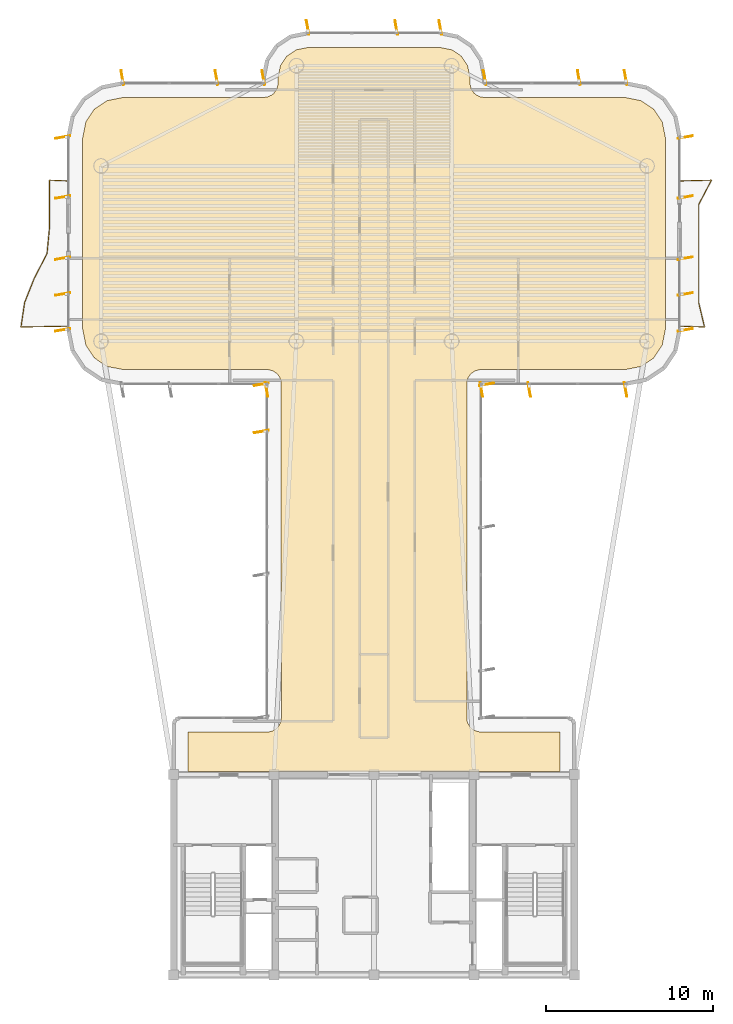
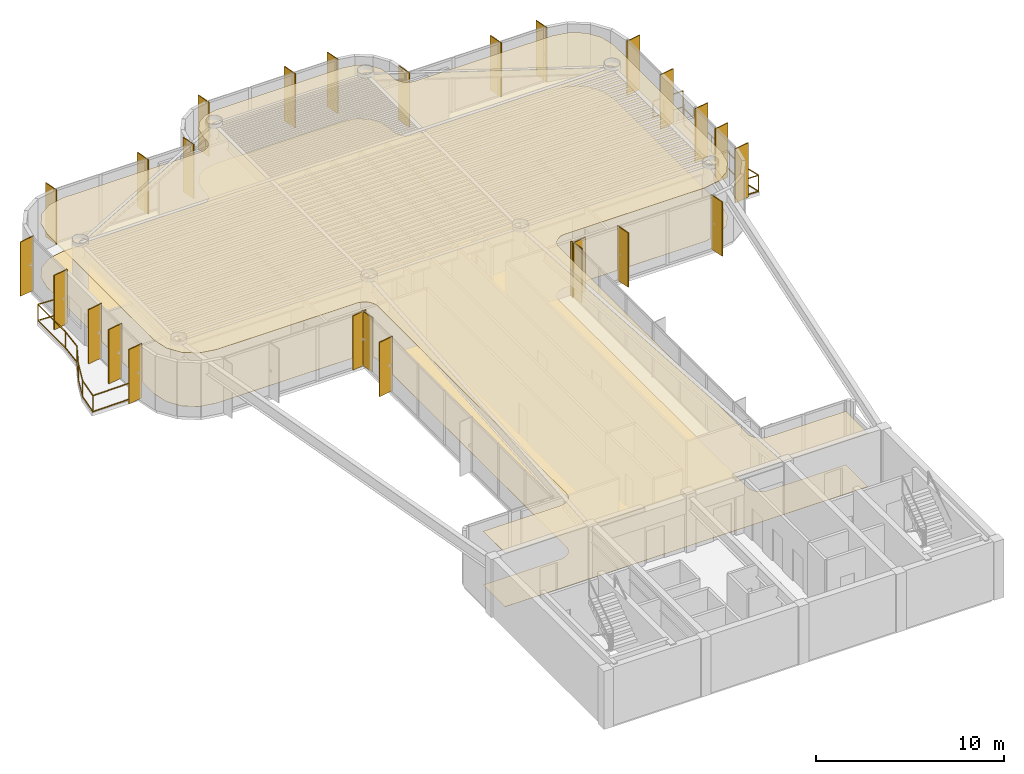
# One storey, part 15 of 15: 26 shading devices, 2 coverings, 2 railings.
"""IFC4 building model written with IfcOpenShell, lengths in metres."""

import ifcopenshell
import ifcopenshell.guid

model = None  # the IFC model being written
_history = None  # IfcOwnerHistory: only IFC2X3 demands one
_inside = {}  # id of a spatial element -> (the spatial element, [elements in it])
_under = {}  # id of a project, library or spatial element -> (it, [spatial elements below it])
_declared = {}  # id of a project -> (the project, [libraries it declares])
_typed = {}  # id of a type object -> (the type object, [elements of that type])
_made_of = {}  # id of a material, layer set ... -> (it, [elements and type objects made of it])


def new_model(schema):
    """Start an empty IFC model of exactly this schema.

    Asked for "IFC4X3", IfcOpenShell would pick the latest addendum, in which some entities
    have other attributes; the version numbers below select the first issue.
    IFC2X3 requires an IfcOwnerHistory on every rooted entity: one is made here for all.
    """
    global model, _history
    if schema == "IFC4X3":
        model = ifcopenshell.file(schema_version=(4, 3, 0, 0))
    else:
        model = ifcopenshell.file(schema=schema)
    _inside.clear()
    _under.clear()
    _declared.clear()
    _typed.clear()
    _made_of.clear()
    _history = None
    if model.schema == "IFC2X3":
        org = make("IfcOrganization", Name="unknown")
        user = make(
            "IfcPersonAndOrganization",
            ThePerson=make("IfcPerson", FamilyName="unknown"),
            TheOrganization=org,
        )
        app = make(
            "IfcApplication",
            ApplicationDeveloper=org,
            Version="unknown",
            ApplicationFullName="unknown",
            ApplicationIdentifier="unknown",
        )
        _history = make(
            "IfcOwnerHistory",
            OwningUser=user,
            OwningApplication=app,
            ChangeAction="ADDED",
            CreationDate=0,
        )
    return model


def make(cls, **values):
    """One entity of the class cls with the attributes given. An attribute that is None is left unset."""
    return model.create_entity(
        cls, **{name: value for name, value in values.items() if value is not None}
    )


def rooted(cls, **values):
    """An entity with a GlobalId (a new one), such as an element, a storey or a relation."""
    return make(cls, GlobalId=ifcopenshell.guid.new(), OwnerHistory=_history, **values)


def si_unit(unit_type, name, prefix=None):
    """IfcSIUnit, for example si_unit("LENGTHUNIT", "METRE", prefix="MILLI")."""
    return make("IfcSIUnit", UnitType=unit_type, Prefix=prefix, Name=name)


def assignment(units):
    """IfcUnitAssignment: the units of a project."""
    return None if units is None else make("IfcUnitAssignment", Units=units)


def point(xyz):
    """IfcCartesianPoint."""
    return None if xyz is None else make("IfcCartesianPoint", Coordinates=xyz)


def direction(xyz):
    """IfcDirection."""
    return None if xyz is None else make("IfcDirection", DirectionRatios=xyz)


def frame(location, z_axis=None, x_axis=None):
    """IfcAxis2Placement3D, a coordinate frame: its origin and axes. An axis left out is left unset."""
    return make(
        "IfcAxis2Placement3D",
        Location=point(location),
        Axis=direction(z_axis),
        RefDirection=direction(x_axis),
    )


def frame_2d(location, x_axis=None):
    """IfcAxis2Placement2D, a coordinate frame in the plane: its origin and x axis."""
    return make(
        "IfcAxis2Placement2D", Location=point(location), RefDirection=direction(x_axis)
    )


def origin():
    """The frame at (0, 0, 0) with its axes left unset."""
    return frame((0.0, 0.0, 0.0))


def origin_2d():
    """The frame at (0, 0) in the plane with its x axis left unset."""
    return frame_2d((0.0, 0.0))


def place(relative_to, where):
    """IfcLocalPlacement: puts the frame where relative to a parent placement (None: the world)."""
    return make(
        "IfcLocalPlacement", PlacementRelTo=relative_to, RelativePlacement=where
    )


def context(
    kind, dimensions, precision=None, world=None, true_north=None, identifier=None
):
    """IfcGeometricRepresentationContext, for example the 3D "Model" context."""
    return make(
        "IfcGeometricRepresentationContext",
        ContextIdentifier=identifier,
        ContextType=kind,
        CoordinateSpaceDimension=dimensions,
        Precision=precision,
        WorldCoordinateSystem=world,
        TrueNorth=true_north,
    )


def subcontext(parent, identifier, kind, view, scale=None):
    """IfcGeometricRepresentationSubContext, for example "Body" below "Model"."""
    return make(
        "IfcGeometricRepresentationSubContext",
        ContextIdentifier=identifier,
        ContextType=kind,
        ParentContext=parent,
        TargetScale=scale,
        TargetView=view,
    )


def project(units=None, contexts=None):
    """IfcProject with its units and contexts."""
    return rooted(
        "IfcProject",
        Name="project",
        RepresentationContexts=contexts,
        UnitsInContext=assignment(units),
    )


def spatial(cls, under=None, at=None, **own):
    """A site, building, storey or space (cls), placed at a placement, below another one or the project."""
    s = rooted(cls, ObjectPlacement=at, **own)
    if under is not None:
        _under.setdefault(under.id(), (under, []))[1].append(s)
    return s


def polyline(points):
    """IfcPolyline through the points."""
    return make("IfcPolyline", Points=[point(p) for p in points])


def profile(cls, at=None, kind="AREA", **sizes):
    """A parametric profile (cls). Its sizes go by their IFC names, for example OverallWidth=200.0."""
    return make(cls, ProfileType=kind, Position=at, **sizes)


def rectangle(**sizes):
    """IfcRectangleProfileDef."""
    return profile("IfcRectangleProfileDef", **sizes)


def outline(outer, holes=None, kind="AREA"):
    """IfcArbitraryClosedProfileDef: a profile drawn as a closed curve; with holes, ...WithVoids."""
    if holes is None:
        return make("IfcArbitraryClosedProfileDef", ProfileType=kind, OuterCurve=outer)
    return make(
        "IfcArbitraryProfileDefWithVoids",
        ProfileType=kind,
        OuterCurve=outer,
        InnerCurves=holes,
    )


def extrude(swept, where, along, depth):
    """IfcExtrudedAreaSolid: the profile swept, set in the frame where, extruded along a direction by depth."""
    return make(
        "IfcExtrudedAreaSolid",
        SweptArea=swept,
        Position=where,
        ExtrudedDirection=direction(along),
        Depth=depth,
    )


def shape(context_of_items, identifier, shape_type, items):
    """IfcShapeRepresentation: the items that make up one representation, for example the "Body"."""
    return make(
        "IfcShapeRepresentation",
        ContextOfItems=context_of_items,
        RepresentationIdentifier=identifier,
        RepresentationType=shape_type,
        Items=items,
    )


def source(mapping_origin, context_of_items, identifier, shape_type, items):
    """IfcRepresentationMap: a shape defined once, which mapped items show again and again."""
    return make(
        "IfcRepresentationMap",
        MappingOrigin=mapping_origin,
        MappedRepresentation=shape(context_of_items, identifier, shape_type, items),
    )


def transform(
    local_origin,
    x_axis=None,
    y_axis=None,
    z_axis=None,
    scale=None,
    scale2=None,
    scale3=None,
    uniform=True,
):
    """IfcCartesianTransformationOperator3D, or its non-uniform kind. x_axis, y_axis, z_axis: its Axis1, 2, 3."""
    if uniform:
        return make(
            "IfcCartesianTransformationOperator3D",
            Axis1=direction(x_axis),
            Axis2=direction(y_axis),
            LocalOrigin=point(local_origin),
            Scale=scale,
            Axis3=direction(z_axis),
        )
    return make(
        "IfcCartesianTransformationOperator3DnonUniform",
        Axis1=direction(x_axis),
        Axis2=direction(y_axis),
        LocalOrigin=point(local_origin),
        Scale=scale,
        Axis3=direction(z_axis),
        Scale2=scale2,
        Scale3=scale3,
    )


def mapped(mapping_source, mapping_target):
    """IfcMappedItem: shows the shape of a source again, moved by a transform."""
    return make(
        "IfcMappedItem", MappingSource=mapping_source, MappingTarget=mapping_target
    )


def material(Name=None, Category=None):
    """IfcMaterial."""
    return make("IfcMaterial", Name=Name, Category=Category)


def layer(
    of_material, thickness, ventilated=None, Name=None, Category=None, Priority=None
):
    """IfcMaterialLayer: one layer of a wall or slab, of a material (None: an air gap)."""
    return make(
        "IfcMaterialLayer",
        Material=of_material,
        LayerThickness=thickness,
        IsVentilated=ventilated,
        Name=Name,
        Category=Category,
        Priority=Priority,
    )


def layer_set(layers, Name=None):
    """IfcMaterialLayerSet."""
    return make("IfcMaterialLayerSet", MaterialLayers=layers, LayerSetName=Name)


def material_profile(
    of_material, cross_section, Name=None, Category=None, Priority=None
):
    """IfcMaterialProfile: a cross section and its material."""
    return make(
        "IfcMaterialProfile",
        Name=Name,
        Material=of_material,
        Profile=cross_section,
        Priority=Priority,
        Category=Category,
    )


def profile_set(profiles, Name=None, composite=None):
    """IfcMaterialProfileSet."""
    return make(
        "IfcMaterialProfileSet",
        Name=Name,
        MaterialProfiles=profiles,
        CompositeProfile=composite,
    )


def made_of(thing, what):
    """Note that an element or type object is made of a material, layer set ...; save() writes the relation."""
    if what is not None:
        _made_of.setdefault(what.id(), (what, []))[1].append(thing)
    return thing


def type_object(cls, material=None, **own):
    """A type object (cls), such as IfcWallType, which elements share."""
    return made_of(rooted(cls, **own), material)


def element(
    cls,
    number,
    at=None,
    inside=None,
    cuts=None,
    type_object=None,
    material=None,
    context=None,
    identifier="Body",
    shape_type=None,
    held_by="IfcProductDefinitionShape",
    body=None,
    shapes=None,
    **own,
):
    """One element of the class cls, such as IfcWall. Its Tag is "e" and its number.

    at: its placement. inside: the storey or other place that contains it. cuts: it is an
    opening in that element (IfcRelVoidsElement). A single representation is given by context,
    identifier, shape_type and body (its items); several are given by shapes. held_by: the class
    of the entity that holds the representations. save() writes the other relations.
    """
    e = rooted(cls, Tag="e%d" % number, ObjectPlacement=at, **own)
    if body is not None:
        shapes = [shape(context, identifier, shape_type, body)]
    if shapes is not None:
        e.Representation = make(held_by, Representations=shapes)
    if inside is not None:
        _inside.setdefault(inside.id(), (inside, []))[1].append(e)
    if cuts is not None:
        rooted(
            "IfcRelVoidsElement", RelatingBuildingElement=cuts, RelatedOpeningElement=e
        )
    if type_object is not None:
        _typed.setdefault(type_object.id(), (type_object, []))[1].append(e)
    return made_of(e, material)


def aggregate(whole, parts):
    """IfcRelAggregates: a whole, such as a stair, and the parts it consists of."""
    return rooted("IfcRelAggregates", RelatingObject=whole, RelatedObjects=parts)


def save(model, path):
    """Write the relations noted so far, then the file.

    IfcRelAggregates (storeys below a building ...), IfcRelContainedInSpatialStructure (elements
    in a storey), IfcRelDefinesByType, IfcRelAssociatesMaterial and IfcRelDeclares: one each for
    every whole, place, type object, material and project.
    """
    for whole, parts in _under.values():
        aggregate(whole, parts)
    for where, things in _inside.values():
        rooted(
            "IfcRelContainedInSpatialStructure",
            RelatedElements=things,
            RelatingStructure=where,
        )
    for kind, things in _typed.values():
        rooted("IfcRelDefinesByType", RelatedObjects=things, RelatingType=kind)
    for what, things in _made_of.values():
        rooted("IfcRelAssociatesMaterial", RelatedObjects=things, RelatingMaterial=what)
    for by, libraries in _declared.values():
        rooted("IfcRelDeclares", RelatingContext=by, RelatedDefinitions=libraries)
    model.write(path)


model = new_model("IFC4")

# Units and contexts
model_context = context("Model", 3, precision=1e-05, world=origin(), true_north=direction((0.0, 1.0)))
body_context = subcontext(model_context, "Body", "Model", "MODEL_VIEW")
ifc_project = project(units=[si_unit("LENGTHUNIT", "METRE"), si_unit("AREAUNIT", "SQUARE_METRE"), si_unit("VOLUMEUNIT", "CUBIC_METRE"), si_unit("PLANEANGLEUNIT", "RADIAN"), si_unit("MASSUNIT", "GRAM", prefix="KILO")], contexts=[model_context])

# Site, building, storey
site_placement = place(None, origin())
site = spatial("IfcSite", under=ifc_project, at=site_placement, CompositionType="ELEMENT")
building_placement = place(site_placement, origin())
building = spatial("IfcBuilding", under=site, at=building_placement, Name="Brelvock Crest Care Tower", CompositionType="ELEMENT")
storey_placement = place(building_placement, frame((0.0, 0.0, 245.699951171875)))
storey = spatial("IfcBuildingStorey", under=building, at=storey_placement, Name="L62", CompositionType="ELEMENT", Elevation=245.699951171875)

# Coverings
ifc_material_1 = material(Name="Mineral Fibre Acoustic Ceiling Tile", Category="gypsum")
ifc_layer_1 = layer(ifc_material_1, 0.02490234375, Name="COV-CLG1")
ifc_layer_set_1 = layer_set([ifc_layer_1], Name="Mineral Fibre Acoustic Ceiling Tile")
covering_type_1 = type_object("IfcCoveringType", Name="COV-CLG1", PredefinedType="CEILING", material=ifc_layer_set_1)
covering_1_placement = place(storey_placement, frame((0.0, 0.0, 3.47509765625)))
element("IfcCovering", 1, at=covering_1_placement, inside=storey, type_object=covering_type_1, Name="L62 Acoustic Suspended Ceiling 1", PredefinedType="CEILING", context=body_context, shape_type="SweptSolid", body=[
    extrude(outline(polyline([(24.85009765625, 18.199951171875), (47.14990234375, 18.199951171875), (47.14990234375, 20.550048828125), (42.316650390625, 20.55419921875), (41.999267578125, 20.650390625), (41.799072265625, 20.799072265625), (41.650390625, 20.999267578125), (41.56640625, 21.234130859375), (41.55419921875, 41.4833984375), (41.61474609375, 41.725341796875), (41.799072265625, 42.0009765625), (42.07470703125, 42.185302734375), (42.316650390625, 42.245849609375), (51.016357421875, 42.25), (51.992919921875, 42.4443359375), (52.75, 42.9501953125), (53.255615234375, 43.70703125), (53.449951171875, 44.68359375), (53.449951171875, 56.1162109375), (53.255615234375, 57.093017578125), (52.75, 57.849853515625), (51.992919921875, 58.355712890625), (51.016357421875, 58.550048828125), (42.60009765625, 58.550048828125), (42.353271484375, 58.586669921875), (42.127685546875, 58.693359375), (41.9990234375, 58.799072265625), (41.814697265625, 59.07470703125), (41.754150390625, 59.316650390625), (41.75, 59.71630859375), (41.601318359375, 60.46337890625), (41.2255859375, 61.025634765625), (40.663330078125, 61.4013671875), (39.916259765625, 61.550048828125), (32.083740234375, 61.550048828125), (31.336669921875, 61.4013671875), (30.7744140625, 61.025634765625), (30.398681640625, 60.46337890625), (30.25, 59.71630859375), (30.245849609375, 59.316650390625), (30.185302734375, 59.07470703125), (30.0009765625, 58.799072265625), (29.872314453125, 58.693359375), (29.646728515625, 58.586669921875), (29.39990234375, 58.550048828125), (20.983642578125, 58.550048828125), (20.007080078125, 58.355712890625), (19.25, 57.849853515625), (18.744384765625, 57.093017578125), (18.550048828125, 56.1162109375), (18.550048828125, 44.68359375), (18.744384765625, 43.70703125), (19.25, 42.9501953125), (20.007080078125, 42.4443359375), (20.983642578125, 42.25), (29.683349609375, 42.245849609375), (29.92529296875, 42.185302734375), (30.200927734375, 42.0009765625), (30.349609375, 41.80078125), (30.43359375, 41.56591796875), (30.449951171875, 21.39990234375), (30.413330078125, 21.1533203125), (30.306640625, 20.927734375), (30.13916015625, 20.742919921875), (29.92529296875, 20.61474609375), (29.683349609375, 20.55419921875), (24.85009765625, 20.550048828125), (24.85009765625, 18.199951171875)])), origin(), (0.0, 0.0, 1.0), 0.02490234375),
])
ifc_material_2 = material(Name="Slip-Resistant Acoustic Vinyl Flooring", Category="finish")
ifc_layer_2 = layer(ifc_material_2, 0.014892578125, Name="COV-FLR1")
ifc_layer_set_2 = layer_set([ifc_layer_2], Name="Slip-Resistant Acoustic Vinyl Flooring")
covering_type_2 = type_object("IfcCoveringType", Name="COV-FLR1", PredefinedType="FLOORING", material=ifc_layer_set_2)
covering_2_placement = place(storey_placement, origin())
element("IfcCovering", 2, at=covering_2_placement, inside=storey, type_object=covering_type_2, Name="L62 Slip-Resistant Acoustic Flooring 1", PredefinedType="FLOORING", context=body_context, shape_type="SweptSolid", body=[
    extrude(outline(polyline([(24.85009765625, 18.199951171875), (47.14990234375, 18.199951171875), (47.14990234375, 20.550048828125), (42.316650390625, 20.55419921875), (41.999267578125, 20.650390625), (41.799072265625, 20.799072265625), (41.650390625, 20.999267578125), (41.56640625, 21.234130859375), (41.55419921875, 41.4833984375), (41.61474609375, 41.725341796875), (41.799072265625, 42.0009765625), (42.07470703125, 42.185302734375), (42.316650390625, 42.245849609375), (51.016357421875, 42.25), (51.992919921875, 42.4443359375), (52.75, 42.9501953125), (53.255615234375, 43.70703125), (53.449951171875, 44.68359375), (53.449951171875, 56.1162109375), (53.255615234375, 57.093017578125), (52.75, 57.849853515625), (51.992919921875, 58.355712890625), (51.016357421875, 58.550048828125), (42.60009765625, 58.550048828125), (42.353271484375, 58.586669921875), (42.127685546875, 58.693359375), (41.9990234375, 58.799072265625), (41.814697265625, 59.07470703125), (41.754150390625, 59.316650390625), (41.75, 59.71630859375), (41.601318359375, 60.46337890625), (41.2255859375, 61.025634765625), (40.663330078125, 61.4013671875), (39.916259765625, 61.550048828125), (32.083740234375, 61.550048828125), (31.336669921875, 61.4013671875), (30.7744140625, 61.025634765625), (30.398681640625, 60.46337890625), (30.25, 59.71630859375), (30.245849609375, 59.316650390625), (30.185302734375, 59.07470703125), (30.0009765625, 58.799072265625), (29.872314453125, 58.693359375), (29.646728515625, 58.586669921875), (29.39990234375, 58.550048828125), (20.983642578125, 58.550048828125), (20.007080078125, 58.355712890625), (19.25, 57.849853515625), (18.744384765625, 57.093017578125), (18.550048828125, 56.1162109375), (18.550048828125, 44.68359375), (18.744384765625, 43.70703125), (19.25, 42.9501953125), (20.007080078125, 42.4443359375), (20.983642578125, 42.25), (29.683349609375, 42.245849609375), (29.92529296875, 42.185302734375), (30.200927734375, 42.0009765625), (30.349609375, 41.80078125), (30.43359375, 41.56591796875), (30.449951171875, 21.39990234375), (30.413330078125, 21.1533203125), (30.306640625, 20.927734375), (30.13916015625, 20.742919921875), (29.92529296875, 20.61474609375), (29.683349609375, 20.55419921875), (24.85009765625, 20.550048828125), (24.85009765625, 18.199951171875)])), origin(), (0.0, 0.0, 1.0), 0.01513671875),
])

# Railings
ifc_material_3 = material(Name="Dark Glass Double Glazed Low-E", Category="glass")
ifc_layer_3 = layer(ifc_material_3, 0.06005859375, Name="RL-BAL1")
ifc_layer_set_3 = layer_set([ifc_layer_3], Name="Dark Glass Double Glazed Low-E")
railing_type = type_object("IfcRailingType", Name="RL-BAL1", PredefinedType="BALUSTRADE", material=ifc_layer_set_3)
railing_1_placement = place(storey_placement, frame((17.659912109375, 44.85009765625, 0.004150390625)))
element("IfcRailing", 3, at=railing_1_placement, inside=storey, type_object=railing_type, Name="L62 Safety Balustrade WB-W", PredefinedType="BALUSTRADE", context=body_context, shape_type="SweptSolid", body=[
    extrude(rectangle(XDim=0.048095703125, YDim=0.048095703125, at=origin_2d()), frame((-0.001953125, 0.0, 1.09619140625), z_axis=(-0.99984026566, -0.017872973008, 0.0), x_axis=(0.017872973008, -0.99984026566, 0.0)), (0.0, 0.0, 1.0), 2.796142578125),
    extrude(rectangle(XDim=0.048095703125, YDim=0.048095703125, at=origin_2d()), frame((-0.001953125, 0.0, 0.054931640625), z_axis=(-0.99984026566, -0.017872973008, 0.0), x_axis=(0.017872973008, -0.99984026566, 0.0)), (0.0, 0.0, 1.0), 2.796142578125),
    extrude(rectangle(XDim=0.048095703125, YDim=0.048095703125, at=origin_2d()), frame((-2.799560546875, -0.048095703125, 1.09619140625), z_axis=(0.146882849114, 0.989153895325, 0.0), x_axis=(-0.989153895325, 0.146882849114, 0.0)), (0.0, 0.0, 1.0), 1.478515625),
    extrude(rectangle(XDim=0.048095703125, YDim=0.048095703125, at=origin_2d()), frame((-2.799560546875, -0.048095703125, 0.054931640625), z_axis=(0.146882849114, 0.989153895325, 0.0), x_axis=(-0.989153895325, 0.146882849114, 0.0)), (0.0, 0.0, 1.0), 1.478515625),
    extrude(rectangle(XDim=0.048095703125, YDim=0.048095703125, at=origin_2d()), frame((-2.581298828125, 1.41845703125, 1.09619140625), z_axis=(0.36936302047, 0.929285187179, 0.0), x_axis=(-0.929285187179, 0.36936302047, 0.0)), (0.0, 0.0, 1.0), 1.574462890625),
    extrude(rectangle(XDim=0.048095703125, YDim=0.048095703125, at=origin_2d()), frame((-2.581298828125, 1.41845703125, 0.054931640625), z_axis=(0.36936302047, 0.929285187179, 0.0), x_axis=(-0.929285187179, 0.36936302047, 0.0)), (0.0, 0.0, 1.0), 1.574462890625),
    extrude(rectangle(XDim=0.048095703125, YDim=0.048095703125, at=origin_2d()), frame((-1.998046875, 2.885009765625, 1.09619140625), z_axis=(0.460230882472, 0.887799264935, 0.0), x_axis=(-0.887799264935, 0.460230882472, 0.0)), (0.0, 0.0, 1.0), 1.64794921875),
    extrude(rectangle(XDim=0.048095703125, YDim=0.048095703125, at=origin_2d()), frame((-1.998046875, 2.885009765625, 0.054931640625), z_axis=(0.460230882472, 0.887799264935, 0.0), x_axis=(-0.887799264935, 0.460230882472, 0.0)), (0.0, 0.0, 1.0), 1.64794921875),
    extrude(rectangle(XDim=0.048095703125, YDim=0.048095703125, at=origin_2d()), frame((-1.238525390625, 4.351806640625, 1.09619140625), z_axis=(0.094285159279, 0.99554523189, 0.0), x_axis=(-0.99554523189, 0.094285159279, 0.0)), (0.0, 0.0, 1.0), 1.469482421875),
    extrude(rectangle(XDim=0.048095703125, YDim=0.048095703125, at=origin_2d()), frame((-1.238525390625, 4.351806640625, 0.054931640625), z_axis=(0.094285159279, 0.99554523189, 0.0), x_axis=(-0.99554523189, 0.094285159279, 0.0)), (0.0, 0.0, 1.0), 1.469482421875),
    extrude(rectangle(XDim=0.048095703125, YDim=0.048095703125, at=origin_2d()), frame((-1.099853515625, 5.818603515625, 1.09619140625), z_axis=(0.0, 1.0, 0.0), x_axis=(-1.0, 0.0, 0.0)), (0.0, 0.0, 1.0), 2.929443359375),
    extrude(rectangle(XDim=0.048095703125, YDim=0.048095703125, at=origin_2d()), frame((-1.099853515625, 5.818603515625, 0.054931640625), z_axis=(0.0, 1.0, 0.0), x_axis=(-1.0, 0.0, 0.0)), (0.0, 0.0, 1.0), 2.929443359375),
    extrude(rectangle(XDim=0.048095703125, YDim=0.048095703125, at=origin_2d()), frame((-1.097900390625, 8.75, 1.09619140625), z_axis=(0.998966252902, -0.045457953795, 0.0), x_axis=(0.045457953795, 0.998966252902, 0.0)), (0.0, 0.0, 1.0), 1.096923828125),
    extrude(rectangle(XDim=0.048095703125, YDim=0.048095703125, at=origin_2d()), frame((-1.097900390625, 8.75, 0.054931640625), z_axis=(0.998966252902, -0.045457953795, 0.0), x_axis=(0.045457953795, 0.998966252902, 0.0)), (0.0, 0.0, 1.0), 1.096923828125),
    extrude(rectangle(XDim=0.0419921875, YDim=0.0419921875, at=origin_2d()), origin(), (0.0, 0.0, 1.0), 1.070068359375),
    extrude(rectangle(XDim=0.0419921875, YDim=0.0419921875, at=origin_2d()), frame((-2.7998046875, -0.050048828125, 0.0)), (0.0, 0.0, 1.0), 1.070068359375),
    extrude(rectangle(XDim=0.0419921875, YDim=0.0419921875, at=origin_2d()), frame((-2.58203125, 1.41650390625, 0.0)), (0.0, 0.0, 1.0), 1.070068359375),
    extrude(rectangle(XDim=0.0419921875, YDim=0.0419921875, at=origin_2d()), frame((-1.9990234375, 2.88330078125, 0.0)), (0.0, 0.0, 1.0), 1.070068359375),
    extrude(rectangle(XDim=0.0419921875, YDim=0.0419921875, at=origin_2d()), frame((-1.23876953125, 4.349853515625, 0.0)), (0.0, 0.0, 1.0), 1.070068359375),
    extrude(rectangle(XDim=0.0419921875, YDim=0.0419921875, at=origin_2d()), frame((-1.099853515625, 5.816650390625, 0.0)), (0.0, 0.0, 1.0), 1.070068359375),
    extrude(rectangle(XDim=0.0419921875, YDim=0.0419921875, at=origin_2d()), frame((-1.099853515625, 8.75, 0.0)), (0.0, 0.0, 1.0), 1.070068359375),
    extrude(rectangle(XDim=0.0419921875, YDim=0.0419921875, at=origin_2d()), frame((0.0, 8.699951171875, 0.0)), (0.0, 0.0, 1.0), 1.070068359375),
])
railing_2_placement = place(storey_placement, frame((54.340087890625, 44.85009765625, 0.004150390625)))
element("IfcRailing", 4, at=railing_2_placement, inside=storey, type_object=railing_type, Name="L62 Safety Balustrade WB-E", PredefinedType="BALUSTRADE", context=body_context, shape_type="SweptSolid", body=[
    extrude(rectangle(XDim=0.048095703125, YDim=0.048095703125, at=origin_2d()), frame((0.001953125, 0.0, 1.09619140625), z_axis=(0.999404799616, -0.034497050669, 0.0), x_axis=(0.034497050669, 0.999404799616, 0.0)), (0.0, 0.0, 1.0), 1.44677734375),
    extrude(rectangle(XDim=0.048095703125, YDim=0.048095703125, at=origin_2d()), frame((0.001953125, 0.0, 0.054931640625), z_axis=(0.999404799616, -0.034497050669, 0.0), x_axis=(0.034497050669, 0.999404799616, 0.0)), (0.0, 0.0, 1.0), 1.44677734375),
    extrude(rectangle(XDim=0.048095703125, YDim=0.048095703125, at=origin_2d()), frame((1.449462890625, -0.048095703125, 1.09619140625), z_axis=(-0.232196944837, 0.972668791937, 0.0), x_axis=(-0.972668791937, -0.232196944837, 0.0)), (0.0, 0.0, 1.0), 1.503662109375),
    extrude(rectangle(XDim=0.048095703125, YDim=0.048095703125, at=origin_2d()), frame((1.449462890625, -0.048095703125, 0.054931640625), z_axis=(-0.232196944837, 0.972668791937, 0.0), x_axis=(-0.972668791937, -0.232196944837, 0.0)), (0.0, 0.0, 1.0), 1.503662109375),
    extrude(rectangle(XDim=0.048095703125, YDim=0.048095703125, at=origin_2d()), frame((1.099853515625, 1.41845703125, 1.09619140625), z_axis=(0.000124843944, 0.999999992207, 0.0), x_axis=(-0.999999992207, 0.000124843944, 0.0)), (0.0, 0.0, 1.0), 5.86279296875),
    extrude(rectangle(XDim=0.048095703125, YDim=0.048095703125, at=origin_2d()), frame((1.099853515625, 1.41845703125, 0.054931640625), z_axis=(0.000124843944, 0.999999992207, 0.0), x_axis=(-0.999999992207, 0.000124843944, 0.0)), (0.0, 0.0, 1.0), 5.86279296875),
    extrude(rectangle(XDim=0.048095703125, YDim=0.048095703125, at=origin_2d()), frame((1.1015625, 7.284912109375, 1.09619140625), z_axis=(0.463191013929, 0.88625847506, 0.0), x_axis=(-0.88625847506, 0.463191013929, 0.0)), (0.0, 0.0, 1.0), 1.651123046875),
    extrude(rectangle(XDim=0.048095703125, YDim=0.048095703125, at=origin_2d()), frame((1.1015625, 7.284912109375, 0.054931640625), z_axis=(0.463191013929, 0.88625847506, 0.0), x_axis=(-0.88625847506, 0.463191013929, 0.0)), (0.0, 0.0, 1.0), 1.651123046875),
    extrude(rectangle(XDim=0.048095703125, YDim=0.048095703125, at=origin_2d()), frame((1.865234375, 8.75, 1.09619140625), z_axis=(-0.999640955712, -0.026794769341, 0.0), x_axis=(0.026794769341, -0.999640955712, 0.0)), (0.0, 0.0, 1.0), 1.86376953125),
    extrude(rectangle(XDim=0.048095703125, YDim=0.048095703125, at=origin_2d()), frame((1.865234375, 8.75, 0.054931640625), z_axis=(-0.999640955712, -0.026794769341, 0.0), x_axis=(0.026794769341, -0.999640955712, 0.0)), (0.0, 0.0, 1.0), 1.86376953125),
    extrude(rectangle(XDim=0.0419921875, YDim=0.0419921875, at=origin_2d()), origin(), (0.0, 0.0, 1.0), 1.070068359375),
    extrude(rectangle(XDim=0.0419921875, YDim=0.0419921875, at=origin_2d()), frame((1.449951171875, -0.050048828125, 0.0)), (0.0, 0.0, 1.0), 1.070068359375),
    extrude(rectangle(XDim=0.0419921875, YDim=0.0419921875, at=origin_2d()), frame((1.099853515625, 1.41650390625, 0.0)), (0.0, 0.0, 1.0), 1.070068359375),
    extrude(rectangle(XDim=0.0419921875, YDim=0.0419921875, at=origin_2d()), frame((1.10009765625, 4.349853515625, 0.0)), (0.0, 0.0, 1.0), 1.070068359375),
    extrude(rectangle(XDim=0.0419921875, YDim=0.0419921875, at=origin_2d()), frame((1.1005859375, 7.283203125, 0.0)), (0.0, 0.0, 1.0), 1.070068359375),
    extrude(rectangle(XDim=0.0419921875, YDim=0.0419921875, at=origin_2d()), frame((1.8671875, 8.75, 0.0)), (0.0, 0.0, 1.0), 1.070068359375),
    extrude(rectangle(XDim=0.0419921875, YDim=0.0419921875, at=origin_2d()), frame((0.0, 8.699951171875, 0.0)), (0.0, 0.0, 1.0), 1.070068359375),
])

# Shading devices
ifc_material_4 = material(Name="Aluminium 6063-T6", Category="aluminium")
ifc_material_profile = material_profile(ifc_material_4, rectangle(XDim=0.054931640625, YDim=0.89990234375, at=origin_2d()), Name="FIN55x900")
ifc_profile_set = profile_set([ifc_material_profile], Name="Aluminium 6063-T6")
shading_device_type = type_object("IfcShadingDeviceType", Name="SHD-FIN1", PredefinedType="USERDEFINED", material=ifc_profile_set)
shared_shape = source(origin(), body_context, "Body", "SweptSolid", [
    extrude(rectangle(XDim=0.054931640625, YDim=0.89990234375, at=origin_2d()), origin(), (0.0, 0.0, 1.0), 3.530029296875),
])
for number, where, z_axis, x_axis, name in (
    (5, (29.260009765625, 38.54296875, 0.0), (0.0, 0.0, 1.0), (-0.173648177667, 0.984807753012, 0.0), "L62 Vertical Sunshade Fin E11-07"),
    (6, (29.260009765625, 41.3701171875, 0.0), (0.0, 0.0, 1.0), (-0.173648177667, 0.984807753012, 0.0), "L62 Vertical Sunshade Fin E11-08"),
    (7, (29.570068359375, 41.06005859375, 0.0), (0.0, 0.0, 1.0), (-0.984807753012, -0.173648177667, 0.0), "L62 Vertical Sunshade Fin E12-01"),
    (8, (17.360107421875, 44.6298828125, 0.0), (0.0, 0.0, 1.0), (-0.173648177667, 0.984807753012, 0.0), "L62 Vertical Sunshade Fin E17A-01"),
    (9, (17.360107421875, 46.77490234375, 0.0), (0.0, 0.0, 1.0), (-0.173648177667, 0.984807753012, 0.0), "L62 Vertical Sunshade Fin E17A-02"),
    (10, (17.360107421875, 48.919921875, 0.0), (0.0, 0.0, 1.0), (-0.173648177667, 0.984807753012, 0.0), "L62 Vertical Sunshade Fin E17A-03"),
    (11, (17.360107421875, 52.580078125, 0.0), (0.0, 0.0, 1.0), (-0.173648177667, 0.984807753012, 0.0), "L62 Vertical Sunshade Fin E17B-01"),
    (12, (17.360107421875, 56.169921875, 0.0), (0.0, 0.0, 1.0), (-0.173648177667, 0.984807753012, 0.0), "L62 Vertical Sunshade Fin E17B-02"),
    (13, (20.929931640625, 59.739990234375, 0.0), (0.0, 0.0, 1.0), (0.984807753012, 0.173648177667, 0.0), "L62 Vertical Sunshade Fin E22-01"),
    (14, (26.566650390625, 59.739990234375, 0.0), (0.0, 0.0, 1.0), (0.984807753012, 0.173648177667, 0.0), "L62 Vertical Sunshade Fin E22-03"),
    (15, (29.3701171875, 59.739990234375, 0.0), (0.0, 0.0, 1.0), (0.984807753012, 0.173648177667, 0.0), "L62 Vertical Sunshade Fin E22-04"),
    (16, (32.030029296875, 62.739990234375, 0.0), (0.0, 0.0, 1.0), (0.984807753012, 0.173648177667, 0.0), "L62 Vertical Sunshade Fin E28-01"),
    (17, (37.333251953125, 62.739990234375, 0.0), (0.0, 0.0, 1.0), (0.984807753012, 0.173648177667, 0.0), "L62 Vertical Sunshade Fin E28-03"),
    (18, (39.969970703125, 62.739990234375, 0.0), (0.0, 0.0, 1.0), (0.984807753012, 0.173648177667, 0.0), "L62 Vertical Sunshade Fin E28-04"),
    (19, (42.6298828125, 59.739990234375, 0.0), (0.0, 0.0, 1.0), (0.984807753012, 0.173648177667, 0.0), "L62 Vertical Sunshade Fin E34-01"),
    (20, (48.2666015625, 59.739990234375, 0.0), (0.0, 0.0, 1.0), (0.984807753012, 0.173648177667, 0.0), "L62 Vertical Sunshade Fin E34-03"),
    (21, (51.070068359375, 59.739990234375, 0.0), (0.0, 0.0, 1.0), (0.984807753012, 0.173648177667, 0.0), "L62 Vertical Sunshade Fin E34-04"),
    (22, (54.639892578125, 56.169921875, 0.0), (0.0, 0.0, 1.0), (0.173648177667, -0.984807753012, 0.0), "L62 Vertical Sunshade Fin E39A-01"),
    (23, (54.639892578125, 52.580078125, 0.0), (0.0, 0.0, 1.0), (0.173648177667, -0.984807753012, 0.0), "L62 Vertical Sunshade Fin E39A-02"),
    (24, (54.639892578125, 48.919921875, 0.0), (0.0, 0.0, 1.0), (0.173648177667, -0.984807753012, 0.0), "L62 Vertical Sunshade Fin E39B-01"),
    (25, (54.639892578125, 46.77490234375, 0.0), (0.0, 0.0, 1.0), (0.173648177667, -0.984807753012, 0.0), "L62 Vertical Sunshade Fin E39B-02"),
    (26, (54.639892578125, 44.6298828125, 0.0), (0.0, 0.0, 1.0), (0.173648177667, -0.984807753012, 0.0), "L62 Vertical Sunshade Fin E39B-03"),
    (27, (51.070068359375, 41.06005859375, 0.0), (0.0, 0.0, 1.0), (-0.984807753012, -0.173648177667, 0.0), "L62 Vertical Sunshade Fin E44-01"),
    (28, (45.300048828125, 41.06005859375, 0.0), (0.0, 0.0, 1.0), (-0.984807753012, -0.173648177667, 0.0), "L62 Vertical Sunshade Fin E44-03"),
    (29, (42.429931640625, 41.06005859375, 0.0), (0.0, 0.0, 1.0), (-0.984807753012, -0.173648177667, 0.0), "L62 Vertical Sunshade Fin E44-04"),
    (30, (42.739990234375, 41.3701171875, 0.0), (0.0, 0.0, 1.0), (0.173648177667, -0.984807753012, 0.0), "L62 Vertical Sunshade Fin E45-01"),
):
    element("IfcShadingDevice", number, at=place(storey_placement, frame(where, z_axis=z_axis, x_axis=x_axis)), inside=storey, type_object=shading_device_type, Name=name, ObjectType="FIN", PredefinedType="USERDEFINED", context=body_context, shape_type="MappedRepresentation", body=[
        mapped(shared_shape, transform((0.0, 0.0, 0.0), x_axis=(1.0, 0.0, 0.0), y_axis=(0.0, 1.0, 0.0), z_axis=(0.0, 0.0, 1.0), scale=1.0)),
    ])

save(model, "model.ifc")
